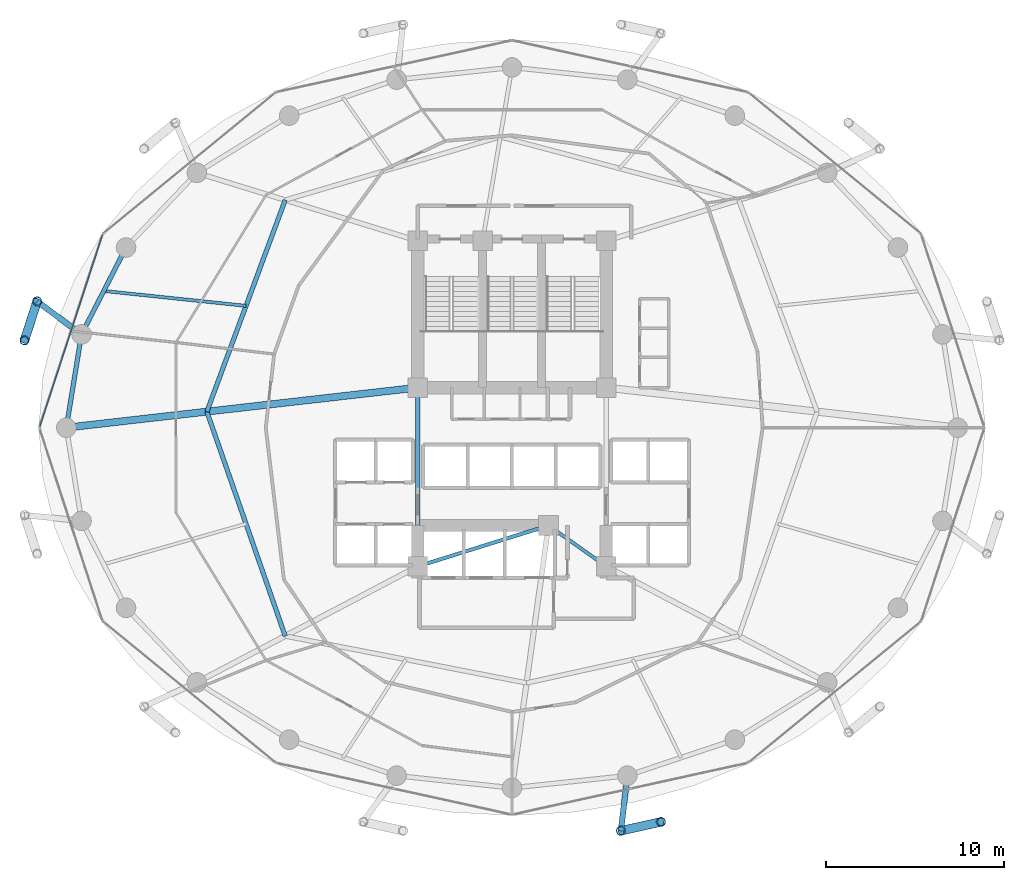
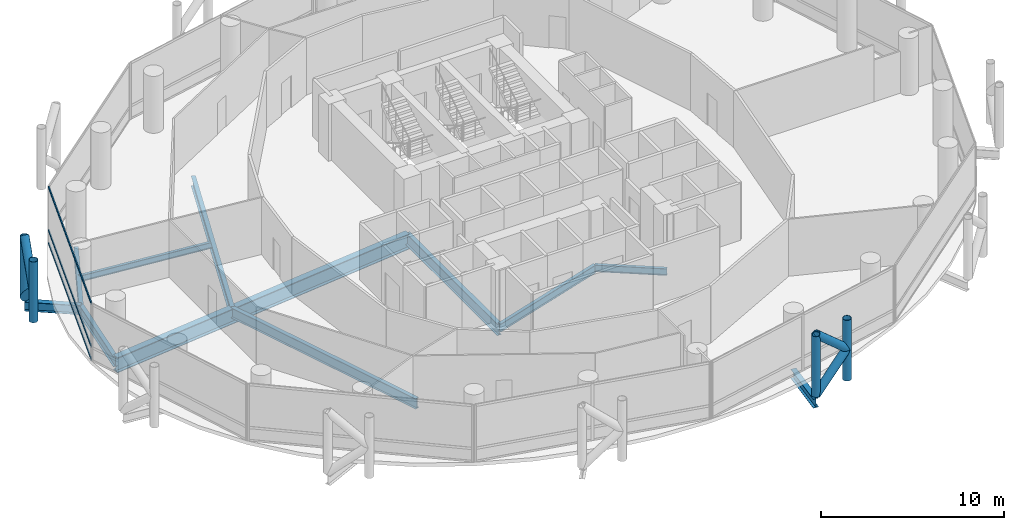
# One storey, part 7 of 25: 11 beams, 11 members, 1 element without a shape of its own.
"""IFC4 building model written with IfcOpenShell, lengths in metres."""

from ifc_helpers import new_model, si_unit, direction, frame, origin, origin_2d, place, context, subcontext, project, spatial, hollow_rectangle, hollow_circle, i_section, extrude, material, layer, layer_set, material_profile, profile_set, type_object, element, aggregate, save


model = new_model("IFC4")

# Units and contexts
model_context = context("Model", 3, precision=1e-05, world=origin(), true_north=direction((0.0, 1.0)))
body_context = subcontext(model_context, "Body", "Model", "MODEL_VIEW")
ifc_project = project(units=[si_unit("LENGTHUNIT", "METRE"), si_unit("AREAUNIT", "SQUARE_METRE"), si_unit("VOLUMEUNIT", "CUBIC_METRE"), si_unit("PLANEANGLEUNIT", "RADIAN"), si_unit("MASSUNIT", "GRAM", prefix="KILO")], contexts=[model_context])

# Site, building, storey
site_placement = place(None, origin())
site = spatial("IfcSite", under=ifc_project, at=site_placement, CompositionType="ELEMENT")
building_placement = place(site_placement, origin())
building = spatial("IfcBuilding", under=site, at=building_placement, Name="Nuhasar Tower", CompositionType="ELEMENT")
storey_placement = place(building_placement, frame((0.0, 0.0, 65.550048828125)))
storey = spatial("IfcBuildingStorey", under=building, at=storey_placement, Name="L15", CompositionType="ELEMENT", Elevation=65.550048828125)

# Beams
ifc_material_1 = material(Name="Steel S355", Category="steel")
ifc_material_profile_1 = material_profile(ifc_material_1, i_section(OverallWidth=0.25390625, OverallDepth=0.68408203125, WebThickness=0.012451171875, FlangeThickness=0.018798828125, at=origin_2d()), Name="W27X94")
ifc_profile_set_1 = profile_set([ifc_material_profile_1], Name="Steel S355")
beam_type_1 = type_object("IfcBeamType", Name="BM-INRING-W27X94", PredefinedType="BEAM", material=ifc_profile_set_1)
beam_1_placement = place(storey_placement, frame((26.251953125, 39.591064453125, -0.592041015625), z_axis=(-0.34715757476, -0.937806812881, 0.0), x_axis=(0.937806812881, -0.34715757476, 0.0)))
element("IfcBeam", 1, at=beam_1_placement, inside=storey, type_object=beam_type_1, Name="L15 Inner Header Beam 07", PredefinedType="BEAM", context=body_context, shape_type="SweptSolid", body=[
    extrude(i_section(OverallWidth=0.25390625, OverallDepth=0.68408203125, WebThickness=0.012451171875, FlangeThickness=0.018798828125, at=origin_2d()), origin(), (0.0, 0.0, 1.0), 12.6796875),
])
beam_2_placement = place(storey_placement, frame((21.85009765625, 27.699951171875, -0.592041015625), z_axis=(0.329554049858, -0.944136710558, 0.0), x_axis=(0.944136710558, 0.329554049858, 0.0)))
element("IfcBeam", 2, at=beam_2_placement, inside=storey, type_object=beam_type_1, Name="L15 Inner Header Beam 08", PredefinedType="BEAM", context=body_context, shape_type="SweptSolid", body=[
    extrude(i_section(OverallWidth=0.25390625, OverallDepth=0.68408203125, WebThickness=0.012451171875, FlangeThickness=0.018798828125, at=origin_2d()), origin(), (0.0, 0.0, 1.0), 13.35693359375),
])
ifc_material_profile_2 = material_profile(ifc_material_1, i_section(OverallWidth=0.177978515625, OverallDepth=0.406005859375, WebThickness=0.0078125, FlangeThickness=0.0126953125, at=origin_2d()), Name="W16X40")
ifc_profile_set_2 = profile_set([ifc_material_profile_2], Name="Steel S355")
beam_type_2 = type_object("IfcBeamType", Name="BM-JST-W16X40", PredefinedType="JOIST", material=ifc_profile_set_2)
beam_3_placement = place(storey_placement, frame((24.051025390625, 33.64501953125, -0.453125), z_axis=(-0.994554594377, 0.104216883485, 0.0), x_axis=(-0.104216883485, -0.994554594377, 0.0)))
element("IfcBeam", 3, at=beam_3_placement, inside=storey, type_object=beam_type_2, Name="L15 Secondary Floor Joist 07", PredefinedType="JOIST", context=body_context, shape_type="SweptSolid", body=[
    extrude(i_section(OverallWidth=0.177978515625, OverallDepth=0.406005859375, WebThickness=0.0078125, FlangeThickness=0.0126953125, at=origin_2d()), origin(), (0.0, 0.0, 1.0), 8.039794921875),
])
ifc_material_profile_3 = material_profile(ifc_material_1, i_section(OverallWidth=0.18994140625, OverallDepth=0.45703125, WebThickness=0.009033203125, FlangeThickness=0.014404296875, at=origin_2d()), Name="W18X50")
ifc_profile_set_3 = profile_set([ifc_material_profile_3], Name="Steel S355")
beam_type_3 = type_object("IfcBeamType", Name="BM-RAD-W18X50", PredefinedType="BEAM", material=ifc_profile_set_3)
beam_4_placement = place(storey_placement, frame((41.050048828125, 21.300048828125, -0.47802734375), z_axis=(0.816265428953, -0.577677028708, 0.0), x_axis=(0.577677028708, 0.816265428953, 0.0)))
element("IfcBeam", 4, at=beam_4_placement, inside=storey, type_object=beam_type_3, Name="L15 Core Ring Girder 2", PredefinedType="BEAM", context=body_context, shape_type="SweptSolid", body=[
    extrude(i_section(OverallWidth=0.18994140625, OverallDepth=0.45703125, WebThickness=0.009033203125, FlangeThickness=0.014404296875, at=origin_2d()), origin(), (0.0, 0.0, 1.0), 3.9814453125),
])
ifc_material_profile_4 = material_profile(ifc_material_1, i_section(OverallWidth=0.208984375, OverallDepth=0.532958984375, WebThickness=0.01025390625, FlangeThickness=0.015625, at=origin_2d()), Name="W21X62")
ifc_profile_set_4 = profile_set([ifc_material_profile_4], Name="Steel S355")
beam_type_4 = type_object("IfcBeamType", Name="BM-RAD-W21X62", PredefinedType="BEAM", material=ifc_profile_set_4)
beam_5_placement = place(storey_placement, frame((33.699951171875, 19.0, -0.51611328125), z_axis=(0.954363709454, 0.298646798205, 0.0), x_axis=(-0.298646798205, 0.954363709454, 0.0)))
element("IfcBeam", 5, at=beam_5_placement, inside=storey, type_object=beam_type_4, Name="L15 Core Ring Girder 1", PredefinedType="BEAM", context=body_context, shape_type="SweptSolid", body=[
    extrude(i_section(OverallWidth=0.208984375, OverallDepth=0.532958984375, WebThickness=0.01025390625, FlangeThickness=0.015625, at=origin_2d()), origin(), (0.0, 0.0, 1.0), 7.70166015625),
])
ifc_material_profile_5 = material_profile(ifc_material_1, i_section(OverallWidth=0.26611328125, OverallDepth=0.779052734375, WebThickness=0.0166015625, FlangeThickness=0.030029296875, at=origin_2d()), Name="W30X148")
ifc_profile_set_5 = profile_set([ifc_material_profile_5], Name="Steel S355")
beam_type_5 = type_object("IfcBeamType", Name="BM-RAD-W30X148", PredefinedType="BEAM", material=ifc_profile_set_5)
beam_6_placement = place(storey_placement, frame((33.699951171875, 29.050048828125, -0.64013671875), z_axis=(0.0, -1.0, 0.0), x_axis=(1.0, 0.0, 0.0)))
element("IfcBeam", 6, at=beam_6_placement, inside=storey, type_object=beam_type_5, Name="L15 Core Ring Girder 8", PredefinedType="BEAM", context=body_context, shape_type="SweptSolid", body=[
    extrude(i_section(OverallWidth=0.26611328125, OverallDepth=0.779052734375, WebThickness=0.0166015625, FlangeThickness=0.030029296875, at=origin_2d()), origin(), (0.0, 0.0, 1.0), 10.050048828125),
])
ifc_material_profile_6 = material_profile(ifc_material_1, i_section(OverallWidth=0.256103515625, OverallDepth=0.693115234375, WebThickness=0.014404296875, FlangeThickness=0.023681640625, at=origin_2d()), Name="W27X114")
ifc_profile_set_6 = profile_set([ifc_material_profile_6], Name="Steel S355")
beam_type_6 = type_object("IfcBeamType", Name="BM-RING-W27X114", PredefinedType="SPANDREL", material=ifc_profile_set_6)
beam_7_placement = place(storey_placement, frame((17.305908203125, 36.925048828125, -0.59716796875), z_axis=(-0.455930023905, -0.890015625314, 0.0), x_axis=(0.890015625314, -0.455930023905, 0.0)))
element("IfcBeam", 7, at=beam_7_placement, inside=storey, type_object=beam_type_6, Name="L15 Perimeter Ring Spandrel 11", PredefinedType="SPANDREL", context=body_context, shape_type="SweptSolid", body=[
    extrude(i_section(OverallWidth=0.256103515625, OverallDepth=0.693115234375, WebThickness=0.014404296875, FlangeThickness=0.023681640625, at=origin_2d()), origin(), (0.0, 0.0, 1.0), 5.487548828125),
])
beam_8_placement = place(storey_placement, frame((14.803955078125, 32.041015625, -0.59716796875), z_axis=(-0.160826635486, -0.986982671235, 0.0), x_axis=(0.986982671235, -0.160826635486, 0.0)))
element("IfcBeam", 8, at=beam_8_placement, inside=storey, type_object=beam_type_6, Name="L15 Perimeter Ring Spandrel 12", PredefinedType="SPANDREL", context=body_context, shape_type="SweptSolid", body=[
    extrude(i_section(OverallWidth=0.256103515625, OverallDepth=0.693115234375, WebThickness=0.014404296875, FlangeThickness=0.023681640625, at=origin_2d()), origin(), (0.0, 0.0, 1.0), 5.31005859375),
])
ifc_material_profile_7 = material_profile(ifc_material_1, i_section(OverallWidth=0.323974609375, OverallDepth=0.611083984375, WebThickness=0.0126953125, FlangeThickness=0.01904296875, at=origin_2d()), Name="W24X104")
ifc_profile_set_7 = profile_set([ifc_material_profile_7], Name="Steel S355")
beam_type_7 = type_object("IfcBeamType", Name="BM-TIE-W24X104", PredefinedType="BEAM", material=ifc_profile_set_7)
beam_9_placement = place(storey_placement, frame((14.803955078125, 32.041015625, -0.554931640625), z_axis=(-0.802151061326, 0.597121155892, 0.0), x_axis=(-0.597121155892, -0.802151061326, 0.0)))
element("IfcBeam", 9, at=beam_9_placement, inside=storey, type_object=beam_type_7, Name="L15 Exoskeleton Node Tie Beam 06", PredefinedType="BEAM", context=body_context, shape_type="SweptSolid", body=[
    extrude(i_section(OverallWidth=0.323974609375, OverallDepth=0.611083984375, WebThickness=0.0126953125, FlangeThickness=0.01904296875, at=origin_2d()), origin(), (0.0, 0.0, 1.0), 3.111328125),
])
beam_10_placement = place(storey_placement, frame((45.48291015625, 7.239990234375, -0.554931640625), z_axis=(-0.115042934281, -0.993360520291, 0.0), x_axis=(0.993360520291, -0.115042934281, 0.0)))
element("IfcBeam", 10, at=beam_10_placement, inside=storey, type_object=beam_type_7, Name="L15 Exoskeleton Node Tie Beam 10", PredefinedType="BEAM", context=body_context, shape_type="SweptSolid", body=[
    extrude(i_section(OverallWidth=0.323974609375, OverallDepth=0.611083984375, WebThickness=0.0126953125, FlangeThickness=0.01904296875, at=origin_2d()), origin(), (0.0, 0.0, 1.0), 3.11962890625),
])
ifc_material_2 = material(Name="Steel S460", Category="steel")
ifc_material_profile_8 = material_profile(ifc_material_2, i_section(OverallWidth=0.40087890625, OverallDepth=1.010009765625, WebThickness=0.023681640625, FlangeThickness=0.0419921875, at=origin_2d()), Name="W40X297")
ifc_profile_set_8 = profile_set([ifc_material_profile_8], Name="Steel S460")
beam_type_8 = type_object("IfcBeamType", Name="BM-XFER-W40X297", PredefinedType="USERDEFINED", material=ifc_profile_set_8)
beam_11_placement = place(storey_placement, frame((33.699951171875, 29.050048828125, -0.755126953125), z_axis=(-0.993573147212, -0.113191877531, 0.0), x_axis=(0.113191877531, -0.993573147212, 0.0)))
element("IfcBeam", 11, at=beam_11_placement, inside=storey, type_object=beam_type_8, Name="L15 Radial Floor Girder 08", ObjectType="GIRDER", PredefinedType="USERDEFINED", context=body_context, shape_type="SweptSolid", body=[
    extrude(i_section(OverallWidth=0.40087890625, OverallDepth=1.010009765625, WebThickness=0.023681640625, FlangeThickness=0.0419921875, at=origin_2d()), origin(), (0.0, 0.0, 1.0), 19.877685546875),
])

# Curtain wall, members
ifc_material_3 = material(Name="Aluminium 6063-T6", Category="aluminium")
ifc_layer = layer(ifc_material_3, 0.199951171875)
ifc_layer_set = layer_set([ifc_layer], Name="Aluminium 6063-T6")
curtain_wall_type = type_object("IfcCurtainWallType", Name="CW-Z1-OFF", PredefinedType="NOTDEFINED", material=ifc_layer_set)
curtain_wall_placement = place(storey_placement, origin())
curtain_wall = element("IfcCurtainWall", 12, at=curtain_wall_placement, inside=storey, type_object=curtain_wall_type, Name="L15 Unitised Curtain Wall 06", PredefinedType="NOTDEFINED")
ifc_material_profile_9 = material_profile(ifc_material_3, hollow_rectangle(XDim=0.06494140625, YDim=0.14990234375, WallThickness=0.00439453125, at=origin_2d()), Name="CWT-2")
ifc_profile_set_9 = profile_set([ifc_material_profile_9], Name="Aluminium 6063-T6")
member_type_1 = type_object("IfcMemberType", Name="CW-TRN-S2", PredefinedType="USERDEFINED", material=ifc_profile_set_9)
member_1_placement = place(storey_placement, frame((15.977783203125, 37.6181640625, 0.032470703125), z_axis=(-0.31082506089, -0.950467138581, 0.0), x_axis=(0.950467138581, -0.31082506089, 0.0)))
member_1 = element("IfcMember", 13, at=member_1_placement, type_object=member_type_1, Name="CW-Z1 transom 1.1", ObjectType="TRANSOM", PredefinedType="USERDEFINED", context=body_context, shape_type="SweptSolid", body=[
    extrude(hollow_rectangle(XDim=0.06494140625, YDim=0.14990234375, WallThickness=0.00439453125, at=origin_2d()), origin(), (0.0, 0.0, 1.0), 11.31689453125),
])
member_2_placement = place(storey_placement, frame((15.977783203125, 37.6181640625, 0.89990234375), z_axis=(-0.31082506089, -0.950467138581, 0.0), x_axis=(0.950467138581, -0.31082506089, 0.0)))
member_2 = element("IfcMember", 14, at=member_2_placement, type_object=member_type_1, Name="CW-Z1 transom 1.2", ObjectType="TRANSOM", PredefinedType="USERDEFINED", context=body_context, shape_type="SweptSolid", body=[
    extrude(hollow_rectangle(XDim=0.06494140625, YDim=0.14990234375, WallThickness=0.00439453125, at=origin_2d()), origin(), (0.0, 0.0, 1.0), 11.31689453125),
])
member_3_placement = place(storey_placement, frame((15.977783203125, 37.6181640625, 3.767333984375), z_axis=(-0.31082506089, -0.950467138581, 0.0), x_axis=(0.950467138581, -0.31082506089, 0.0)))
member_3 = element("IfcMember", 15, at=member_3_placement, type_object=member_type_1, Name="CW-Z1 transom 1.3", ObjectType="TRANSOM", PredefinedType="USERDEFINED", context=body_context, shape_type="SweptSolid", body=[
    extrude(hollow_rectangle(XDim=0.06494140625, YDim=0.14990234375, WallThickness=0.00439453125, at=origin_2d()), origin(), (0.0, 0.0, 1.0), 11.31689453125),
])
aggregate(curtain_wall, [member_1, member_2, member_3])

# Members
ifc_material_profile_10 = material_profile(ifc_material_2, hollow_circle(Radius=0.25390625, WallThickness=0.025390625, at=origin_2d()), Name="HSS508X25.4")
ifc_profile_set_10 = profile_set([ifc_material_profile_10], Name="Steel S460")
member_type_2 = type_object("IfcMemberType", Name="EXO-BRONZE-508", PredefinedType="BRACE", material=ifc_profile_set_10)
for number, where, z_axis, x_axis, name in (
    (16, (12.30810546875, 33.89892578125, 0.0), (0.0, 0.0, 1.0), (1.0, 0.0, 0.0), "L15 Exoskeleton Chord Column EC-06A"),
    (17, (11.60009765625, 31.7099609375, 0.0), (0.0, 0.0, 1.0), (1.0, 0.0, 0.0), "L15 Exoskeleton Chord Column EC-06B"),
    (18, (45.1240234375, 4.14111328125, 0.0), (0.0, 0.0, 1.0), (1.0, 0.0, 0.0), "L15 Exoskeleton Chord Column EC-10A"),
    (19, (47.3701171875, 4.639892578125, 0.0), (0.0, 0.0, 1.0), (1.0, 0.0, 0.0), "L15 Exoskeleton Chord Column EC-10B"),
):
    element("IfcMember", number, at=place(storey_placement, frame(where, z_axis=z_axis, x_axis=x_axis)), inside=storey, type_object=member_type_2, Name=name, PredefinedType="BRACE", context=body_context, shape_type="SweptSolid", body=[
        extrude(hollow_circle(Radius=0.25390625, WallThickness=0.025390625, at=origin_2d()), origin(), (0.0, 0.0, 1.0), 4.050048828125),
    ])
member_4_placement = place(storey_placement, frame((12.30810546875, 33.89892578125, 0.0), z_axis=(-0.231011836313, -0.714224870475, 0.660693851854), x_axis=(0.951468282519, -0.307746823478, 0.0)))
element("IfcMember", 20, at=member_4_placement, inside=storey, type_object=member_type_2, Name="L15 Bronze Diagrid Brace W1-06", PredefinedType="BRACE", context=body_context, shape_type="SweptSolid", body=[
    extrude(hollow_circle(Radius=0.25390625, WallThickness=0.025390625, at=origin_2d()), origin(), (0.0, 0.0, 1.0), 3.064697265625),
])
for number, where, z_axis, x_axis, name in (
    (21, (11.60009765625, 31.7099609375, 2.02490234375), (0.230999678299, 0.714187281251, 0.660738734997), (-0.951468282519, 0.307746823478, 0.0), "L15 Bronze Diagrid Brace W2-06"),
    (22, (45.1240234375, 4.14111328125, 0.0), (0.732830973624, 0.162736269469, 0.66066305383), (-0.216784396973, 0.976219506683, 0.0), "L15 Bronze Diagrid Brace W1-10"),
):
    element("IfcMember", number, at=place(storey_placement, frame(where, z_axis=z_axis, x_axis=x_axis)), inside=storey, type_object=member_type_2, Name=name, PredefinedType="BRACE", context=body_context, shape_type="SweptSolid", body=[
        extrude(hollow_circle(Radius=0.25390625, WallThickness=0.025390625, at=origin_2d()), origin(), (0.0, 0.0, 1.0), 3.06494140625),
    ])
member_5_placement = place(storey_placement, frame((47.3701171875, 4.639892578125, 2.02490234375), z_axis=(-0.732792408767, -0.162727705556, 0.660707938122), x_axis=(0.216784396973, -0.976219506683, 0.0)))
element("IfcMember", 23, at=member_5_placement, inside=storey, type_object=member_type_2, Name="L15 Bronze Diagrid Brace W2-10", PredefinedType="BRACE", context=body_context, shape_type="SweptSolid", body=[
    extrude(hollow_circle(Radius=0.25390625, WallThickness=0.025390625, at=origin_2d()), origin(), (0.0, 0.0, 1.0), 3.065185546875),
])

save(model, "model.ifc")
